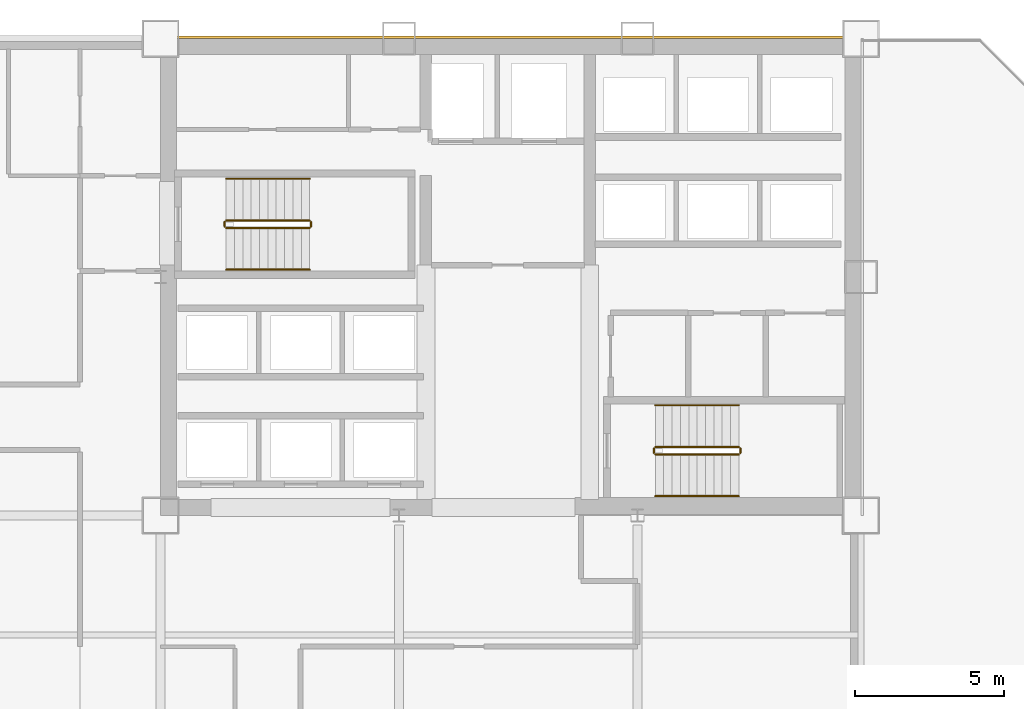
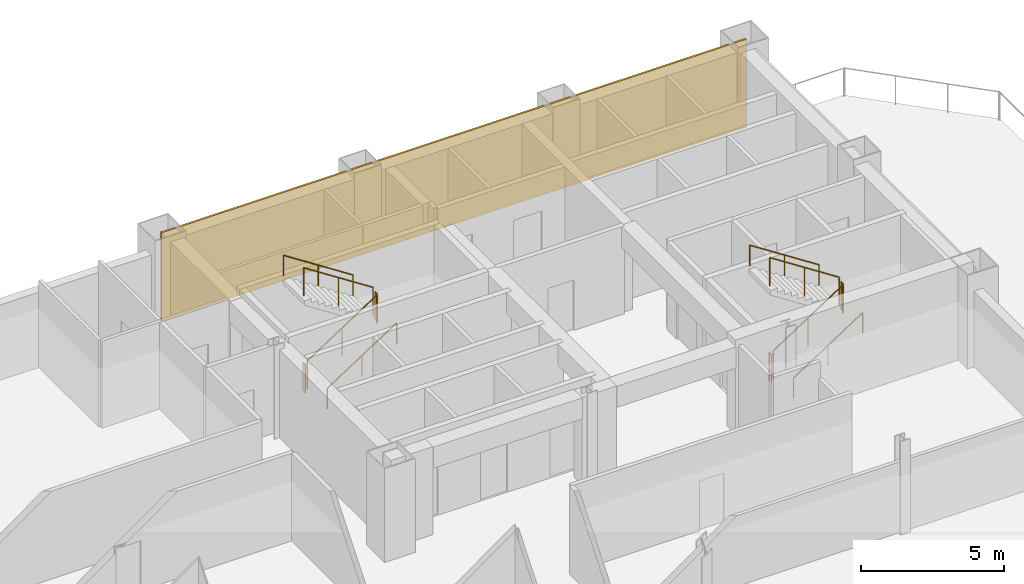
# One storey, part 10 of 11: 12 railings, 1 covering.
"""IFC4 building model written with IfcOpenShell, lengths in metres."""

import ifcopenshell
import ifcopenshell.guid

model = None  # the IFC model being written
_history = None  # IfcOwnerHistory: only IFC2X3 demands one
_inside = {}  # id of a spatial element -> (the spatial element, [elements in it])
_under = {}  # id of a project, library or spatial element -> (it, [spatial elements below it])
_declared = {}  # id of a project -> (the project, [libraries it declares])
_typed = {}  # id of a type object -> (the type object, [elements of that type])
_made_of = {}  # id of a material, layer set ... -> (it, [elements and type objects made of it])


def new_model(schema):
    """Start an empty IFC model of exactly this schema.

    Asked for "IFC4X3", IfcOpenShell would pick the latest addendum, in which some entities
    have other attributes; the version numbers below select the first issue.
    IFC2X3 requires an IfcOwnerHistory on every rooted entity: one is made here for all.
    """
    global model, _history
    if schema == "IFC4X3":
        model = ifcopenshell.file(schema_version=(4, 3, 0, 0))
    else:
        model = ifcopenshell.file(schema=schema)
    _inside.clear()
    _under.clear()
    _declared.clear()
    _typed.clear()
    _made_of.clear()
    _history = None
    if model.schema == "IFC2X3":
        org = make("IfcOrganization", Name="unknown")
        user = make(
            "IfcPersonAndOrganization",
            ThePerson=make("IfcPerson", FamilyName="unknown"),
            TheOrganization=org,
        )
        app = make(
            "IfcApplication",
            ApplicationDeveloper=org,
            Version="unknown",
            ApplicationFullName="unknown",
            ApplicationIdentifier="unknown",
        )
        _history = make(
            "IfcOwnerHistory",
            OwningUser=user,
            OwningApplication=app,
            ChangeAction="ADDED",
            CreationDate=0,
        )
    return model


def make(cls, **values):
    """One entity of the class cls with the attributes given. An attribute that is None is left unset."""
    return model.create_entity(
        cls, **{name: value for name, value in values.items() if value is not None}
    )


def rooted(cls, **values):
    """An entity with a GlobalId (a new one), such as an element, a storey or a relation."""
    return make(cls, GlobalId=ifcopenshell.guid.new(), OwnerHistory=_history, **values)


def si_unit(unit_type, name, prefix=None):
    """IfcSIUnit, for example si_unit("LENGTHUNIT", "METRE", prefix="MILLI")."""
    return make("IfcSIUnit", UnitType=unit_type, Prefix=prefix, Name=name)


def assignment(units):
    """IfcUnitAssignment: the units of a project."""
    return None if units is None else make("IfcUnitAssignment", Units=units)


def point(xyz):
    """IfcCartesianPoint."""
    return None if xyz is None else make("IfcCartesianPoint", Coordinates=xyz)


def direction(xyz):
    """IfcDirection."""
    return None if xyz is None else make("IfcDirection", DirectionRatios=xyz)


def frame(location, z_axis=None, x_axis=None):
    """IfcAxis2Placement3D, a coordinate frame: its origin and axes. An axis left out is left unset."""
    return make(
        "IfcAxis2Placement3D",
        Location=point(location),
        Axis=direction(z_axis),
        RefDirection=direction(x_axis),
    )


def frame_2d(location, x_axis=None):
    """IfcAxis2Placement2D, a coordinate frame in the plane: its origin and x axis."""
    return make(
        "IfcAxis2Placement2D", Location=point(location), RefDirection=direction(x_axis)
    )


def origin():
    """The frame at (0, 0, 0) with its axes left unset."""
    return frame((0.0, 0.0, 0.0))


def origin_2d():
    """The frame at (0, 0) in the plane with its x axis left unset."""
    return frame_2d((0.0, 0.0))


def place(relative_to, where):
    """IfcLocalPlacement: puts the frame where relative to a parent placement (None: the world)."""
    return make(
        "IfcLocalPlacement", PlacementRelTo=relative_to, RelativePlacement=where
    )


def context(
    kind, dimensions, precision=None, world=None, true_north=None, identifier=None
):
    """IfcGeometricRepresentationContext, for example the 3D "Model" context."""
    return make(
        "IfcGeometricRepresentationContext",
        ContextIdentifier=identifier,
        ContextType=kind,
        CoordinateSpaceDimension=dimensions,
        Precision=precision,
        WorldCoordinateSystem=world,
        TrueNorth=true_north,
    )


def subcontext(parent, identifier, kind, view, scale=None):
    """IfcGeometricRepresentationSubContext, for example "Body" below "Model"."""
    return make(
        "IfcGeometricRepresentationSubContext",
        ContextIdentifier=identifier,
        ContextType=kind,
        ParentContext=parent,
        TargetScale=scale,
        TargetView=view,
    )


def project(units=None, contexts=None):
    """IfcProject with its units and contexts."""
    return rooted(
        "IfcProject",
        Name="project",
        RepresentationContexts=contexts,
        UnitsInContext=assignment(units),
    )


def spatial(cls, under=None, at=None, **own):
    """A site, building, storey or space (cls), placed at a placement, below another one or the project."""
    s = rooted(cls, ObjectPlacement=at, **own)
    if under is not None:
        _under.setdefault(under.id(), (under, []))[1].append(s)
    return s


def profile(cls, at=None, kind="AREA", **sizes):
    """A parametric profile (cls). Its sizes go by their IFC names, for example OverallWidth=200.0."""
    return make(cls, ProfileType=kind, Position=at, **sizes)


def rectangle(**sizes):
    """IfcRectangleProfileDef."""
    return profile("IfcRectangleProfileDef", **sizes)


def circle(**sizes):
    """IfcCircleProfileDef."""
    return profile("IfcCircleProfileDef", **sizes)


def extrude(swept, where, along, depth):
    """IfcExtrudedAreaSolid: the profile swept, set in the frame where, extruded along a direction by depth."""
    return make(
        "IfcExtrudedAreaSolid",
        SweptArea=swept,
        Position=where,
        ExtrudedDirection=direction(along),
        Depth=depth,
    )


def shape(context_of_items, identifier, shape_type, items):
    """IfcShapeRepresentation: the items that make up one representation, for example the "Body"."""
    return make(
        "IfcShapeRepresentation",
        ContextOfItems=context_of_items,
        RepresentationIdentifier=identifier,
        RepresentationType=shape_type,
        Items=items,
    )


def material(Name=None, Category=None):
    """IfcMaterial."""
    return make("IfcMaterial", Name=Name, Category=Category)


def layer(
    of_material, thickness, ventilated=None, Name=None, Category=None, Priority=None
):
    """IfcMaterialLayer: one layer of a wall or slab, of a material (None: an air gap)."""
    return make(
        "IfcMaterialLayer",
        Material=of_material,
        LayerThickness=thickness,
        IsVentilated=ventilated,
        Name=Name,
        Category=Category,
        Priority=Priority,
    )


def layer_set(layers, Name=None):
    """IfcMaterialLayerSet."""
    return make("IfcMaterialLayerSet", MaterialLayers=layers, LayerSetName=Name)


def made_of(thing, what):
    """Note that an element or type object is made of a material, layer set ...; save() writes the relation."""
    if what is not None:
        _made_of.setdefault(what.id(), (what, []))[1].append(thing)
    return thing


def type_object(cls, material=None, **own):
    """A type object (cls), such as IfcWallType, which elements share."""
    return made_of(rooted(cls, **own), material)


def element(
    cls,
    number,
    at=None,
    inside=None,
    cuts=None,
    type_object=None,
    material=None,
    context=None,
    identifier="Body",
    shape_type=None,
    held_by="IfcProductDefinitionShape",
    body=None,
    shapes=None,
    **own,
):
    """One element of the class cls, such as IfcWall. Its Tag is "e" and its number.

    at: its placement. inside: the storey or other place that contains it. cuts: it is an
    opening in that element (IfcRelVoidsElement). A single representation is given by context,
    identifier, shape_type and body (its items); several are given by shapes. held_by: the class
    of the entity that holds the representations. save() writes the other relations.
    """
    e = rooted(cls, Tag="e%d" % number, ObjectPlacement=at, **own)
    if body is not None:
        shapes = [shape(context, identifier, shape_type, body)]
    if shapes is not None:
        e.Representation = make(held_by, Representations=shapes)
    if inside is not None:
        _inside.setdefault(inside.id(), (inside, []))[1].append(e)
    if cuts is not None:
        rooted(
            "IfcRelVoidsElement", RelatingBuildingElement=cuts, RelatedOpeningElement=e
        )
    if type_object is not None:
        _typed.setdefault(type_object.id(), (type_object, []))[1].append(e)
    return made_of(e, material)


def aggregate(whole, parts):
    """IfcRelAggregates: a whole, such as a stair, and the parts it consists of."""
    return rooted("IfcRelAggregates", RelatingObject=whole, RelatedObjects=parts)


def save(model, path):
    """Write the relations noted so far, then the file.

    IfcRelAggregates (storeys below a building ...), IfcRelContainedInSpatialStructure (elements
    in a storey), IfcRelDefinesByType, IfcRelAssociatesMaterial and IfcRelDeclares: one each for
    every whole, place, type object, material and project.
    """
    for whole, parts in _under.values():
        aggregate(whole, parts)
    for where, things in _inside.values():
        rooted(
            "IfcRelContainedInSpatialStructure",
            RelatedElements=things,
            RelatingStructure=where,
        )
    for kind, things in _typed.values():
        rooted("IfcRelDefinesByType", RelatedObjects=things, RelatingType=kind)
    for what, things in _made_of.values():
        rooted("IfcRelAssociatesMaterial", RelatedObjects=things, RelatingMaterial=what)
    for by, libraries in _declared.values():
        rooted("IfcRelDeclares", RelatingContext=by, RelatedDefinitions=libraries)
    model.write(path)


model = new_model("IFC4")

# Units and contexts
model_context = context("Model", 3, precision=1e-05, world=origin(), true_north=direction((0.0, 1.0)))
body_context = subcontext(model_context, "Body", "Model", "MODEL_VIEW")
ifc_project = project(units=[si_unit("LENGTHUNIT", "METRE"), si_unit("AREAUNIT", "SQUARE_METRE"), si_unit("VOLUMEUNIT", "CUBIC_METRE"), si_unit("PLANEANGLEUNIT", "RADIAN"), si_unit("MASSUNIT", "GRAM", prefix="KILO")], contexts=[model_context])

# Site, building, storey
site_placement = place(None, origin())
site = spatial("IfcSite", under=ifc_project, at=site_placement, CompositionType="ELEMENT")
building_placement = place(site_placement, origin())
building = spatial("IfcBuilding", under=site, at=building_placement, Name="Qianrong Seaharbour Tower", CompositionType="ELEMENT")
storey_placement = place(building_placement, frame((0.0, 0.0, 28.199951171875)))
storey = spatial("IfcBuildingStorey", under=building, at=storey_placement, Name="L06", CompositionType="ELEMENT", Elevation=28.199951171875)

# Covering
ifc_material_1 = material(Name="Unitised red brick cladding on Precast concrete C45/55", Category="masonry")
ifc_layer = layer(ifc_material_1, 0.080078125)
ifc_layer_set = layer_set([ifc_layer], Name="Unitised red brick cladding on Precast concrete C45/55")
covering_type = type_object("IfcCoveringType", Name="COV-CLAD-RED-BRICK-80", PredefinedType="CLADDING", material=ifc_layer_set)
covering_placement = place(storey_placement, frame((52.2900390625, 52.0400390625, 0.0), z_axis=(0.0, 0.0, 1.0), x_axis=(1.0, 0.0, 0.0)))
element("IfcCovering", 1, at=covering_placement, inside=storey, type_object=covering_type, Name="L06 North Core Brick Veneer Cladding", PredefinedType="CLADDING", context=body_context, shape_type="SweptSolid", body=[
    extrude(rectangle(XDim=23.580078125, YDim=0.080078125, at=origin_2d()), origin(), (0.0, 0.0, 1.0), 3.75),
])

# Railings
ifc_material_2 = material(Name="Galvanized painted steel SN400B stair guard", Category="steel")
railing_type_1 = type_object("IfcRailingType", Name="RAIL-STAIR-GUARD-1220", PredefinedType="GUARDRAIL", material=ifc_material_2)
railing_1_placement = place(storey_placement, frame((42.699951171875, 45.64990234375, 0.181884765625)))
element("IfcRailing", 2, at=railing_1_placement, inside=storey, type_object=railing_type_1, Name="L06 ST-1 stair guard 1", PredefinedType="GUARDRAIL", context=body_context, shape_type="SweptSolid", body=[
    extrude(circle(Radius=0.02392578125, at=origin_2d()), frame((0.0, 0.0, 1.19580078125), z_axis=(0.838705829183, 0.0, 0.544584733623), x_axis=(0.0, 1.0, 0.0)), (0.0, 0.0, 1.0), 3.338623046875),
    extrude(circle(Radius=0.02099609375, at=origin_2d()), origin(), (0.0, 0.0, 1.0), 1.171875),
    extrude(circle(Radius=0.02099609375, at=origin_2d()), frame((1.39990234375, 0.0, 0.9091796875)), (0.0, 0.0, 1.0), 1.171875),
    extrude(circle(Radius=0.02099609375, at=origin_2d()), frame((2.800048828125, 0.0, 1.818115234375)), (0.0, 0.0, 1.0), 1.171875),
])
railing_2_placement = place(storey_placement, frame((45.550048828125, 45.699951171875, 2.0)))
element("IfcRailing", 3, at=railing_2_placement, inside=storey, type_object=railing_type_1, Name="L06 ST-1 stair guard 2", PredefinedType="GUARDRAIL", context=body_context, shape_type="SweptSolid", body=[
    extrude(circle(Radius=0.02392578125, at=origin_2d()), frame((0.0, 0.0, 1.19580078125), z_axis=(0.0, 1.0, 0.0), x_axis=(-1.0, 0.0, 0.0)), (0.0, 0.0, 1.0), 0.150146484375),
    extrude(circle(Radius=0.02099609375, at=origin_2d()), origin(), (0.0, 0.0, 1.0), 1.171875),
    extrude(circle(Radius=0.02099609375, at=origin_2d()), frame((0.0, 0.150146484375, 0.0)), (0.0, 0.0, 1.0), 1.171875),
])
railing_3_placement = place(storey_placement, frame((45.5, 45.89990234375, 2.181884765625)))
element("IfcRailing", 4, at=railing_3_placement, inside=storey, type_object=railing_type_1, Name="L06 ST-1 stair guard 3", PredefinedType="GUARDRAIL", context=body_context, shape_type="SweptSolid", body=[
    extrude(circle(Radius=0.02392578125, at=origin_2d()), frame((0.0, 0.0, 1.19580078125), z_axis=(-0.838705829183, 0.0, 0.544584733623), x_axis=(0.0, -1.0, 0.0)), (0.0, 0.0, 1.0), 3.338623046875),
    extrude(circle(Radius=0.02099609375, at=origin_2d()), origin(), (0.0, 0.0, 1.0), 1.171875),
    extrude(circle(Radius=0.02099609375, at=origin_2d()), frame((-1.39990234375, 0.0, 0.9091796875)), (0.0, 0.0, 1.0), 1.171875),
    extrude(circle(Radius=0.02099609375, at=origin_2d()), frame((-2.800048828125, 0.0, 1.818115234375)), (0.0, 0.0, 1.0), 1.171875),
])
railing_4_placement = place(storey_placement, frame((42.64990234375, 45.699951171875, 0.0)))
element("IfcRailing", 5, at=railing_4_placement, inside=storey, type_object=railing_type_1, Name="L06 ST-1 stair guard 4", PredefinedType="GUARDRAIL", context=body_context, shape_type="SweptSolid", body=[
    extrude(circle(Radius=0.02392578125, at=origin_2d()), frame((0.0, 0.0, 1.19580078125), z_axis=(0.0, 1.0, 0.0), x_axis=(-1.0, 0.0, 0.0)), (0.0, 0.0, 1.0), 0.150146484375),
    extrude(circle(Radius=0.02099609375, at=origin_2d()), origin(), (0.0, 0.0, 1.0), 1.171875),
    extrude(circle(Radius=0.02099609375, at=origin_2d()), frame((0.0, 0.150146484375, 0.0)), (0.0, 0.0, 1.0), 1.171875),
])
railing_5_placement = place(storey_placement, frame((57.10009765625, 38.050048828125, 0.181884765625)))
element("IfcRailing", 6, at=railing_5_placement, inside=storey, type_object=railing_type_1, Name="L06 ST-2 stair guard 1", PredefinedType="GUARDRAIL", context=body_context, shape_type="SweptSolid", body=[
    extrude(circle(Radius=0.02392578125, at=origin_2d()), frame((0.0, 0.0, 1.19580078125), z_axis=(0.83868413941, 0.0, 0.544618136222), x_axis=(0.0, 1.0, 0.0)), (0.0, 0.0, 1.0), 3.33837890625),
    extrude(circle(Radius=0.02099609375, at=origin_2d()), origin(), (0.0, 0.0, 1.0), 1.171875),
    extrude(circle(Radius=0.02099609375, at=origin_2d()), frame((1.39990234375, 0.0, 0.9091796875)), (0.0, 0.0, 1.0), 1.171875),
    extrude(circle(Radius=0.02099609375, at=origin_2d()), frame((2.7998046875, 0.0, 1.818115234375)), (0.0, 0.0, 1.0), 1.171875),
])
railing_6_placement = place(storey_placement, frame((59.949951171875, 38.10009765625, 2.0)))
element("IfcRailing", 7, at=railing_6_placement, inside=storey, type_object=railing_type_1, Name="L06 ST-2 stair guard 2", PredefinedType="GUARDRAIL", context=body_context, shape_type="SweptSolid", body=[
    extrude(circle(Radius=0.02392578125, at=origin_2d()), frame((0.0, 0.0, 1.19580078125), z_axis=(0.0, 1.0, 0.0), x_axis=(-1.0, 0.0, 0.0)), (0.0, 0.0, 1.0), 0.14990234375),
    extrude(circle(Radius=0.02099609375, at=origin_2d()), origin(), (0.0, 0.0, 1.0), 1.171875),
    extrude(circle(Radius=0.02099609375, at=origin_2d()), frame((0.0, 0.14990234375, 0.0)), (0.0, 0.0, 1.0), 1.171875),
])
railing_7_placement = place(storey_placement, frame((59.89990234375, 38.300048828125, 2.181884765625)))
element("IfcRailing", 8, at=railing_7_placement, inside=storey, type_object=railing_type_1, Name="L06 ST-2 stair guard 3", PredefinedType="GUARDRAIL", context=body_context, shape_type="SweptSolid", body=[
    extrude(circle(Radius=0.02392578125, at=origin_2d()), frame((0.0, 0.0, 1.19580078125), z_axis=(-0.83868413941, 0.0, 0.544618136222), x_axis=(0.0, -1.0, 0.0)), (0.0, 0.0, 1.0), 3.33837890625),
    extrude(circle(Radius=0.02099609375, at=origin_2d()), origin(), (0.0, 0.0, 1.0), 1.171875),
    extrude(circle(Radius=0.02099609375, at=origin_2d()), frame((-1.39990234375, 0.0, 0.9091796875)), (0.0, 0.0, 1.0), 1.171875),
    extrude(circle(Radius=0.02099609375, at=origin_2d()), frame((-2.7998046875, 0.0, 1.818115234375)), (0.0, 0.0, 1.0), 1.171875),
])
railing_8_placement = place(storey_placement, frame((57.050048828125, 38.10009765625, 0.0)))
element("IfcRailing", 9, at=railing_8_placement, inside=storey, type_object=railing_type_1, Name="L06 ST-2 stair guard 4", PredefinedType="GUARDRAIL", context=body_context, shape_type="SweptSolid", body=[
    extrude(circle(Radius=0.02392578125, at=origin_2d()), frame((0.0, 0.0, 1.19580078125), z_axis=(0.0, 1.0, 0.0), x_axis=(-1.0, 0.0, 0.0)), (0.0, 0.0, 1.0), 0.14990234375),
    extrude(circle(Radius=0.02099609375, at=origin_2d()), origin(), (0.0, 0.0, 1.0), 1.171875),
    extrude(circle(Radius=0.02099609375, at=origin_2d()), frame((0.0, 0.14990234375, 0.0)), (0.0, 0.0, 1.0), 1.171875),
])
ifc_material_3 = material(Name="Stainless steel SUS316L continuous handrail", Category="steel")
railing_type_2 = type_object("IfcRailingType", Name="RAIL-STAIR-HANDRAIL-900", PredefinedType="HANDRAIL", material=ifc_material_3)
railing_9_placement = place(storey_placement, frame((42.699951171875, 44.25, 0.181884765625)))
element("IfcRailing", 10, at=railing_9_placement, inside=storey, type_object=railing_type_2, Name="L06 ST-1 stair handrail 1", PredefinedType="HANDRAIL", context=body_context, shape_type="SweptSolid", body=[
    extrude(circle(Radius=0.02392578125, at=origin_2d()), frame((0.0, 0.0, 0.8759765625), z_axis=(0.838705829183, 0.0, 0.544584733623), x_axis=(0.0, 1.0, 0.0)), (0.0, 0.0, 1.0), 3.338623046875),
    extrude(circle(Radius=0.02099609375, at=origin_2d()), origin(), (0.0, 0.0, 1.0), 0.851806640625),
    extrude(circle(Radius=0.02099609375, at=origin_2d()), frame((1.39990234375, 0.0, 0.9091796875)), (0.0, 0.0, 1.0), 0.851806640625),
    extrude(circle(Radius=0.02099609375, at=origin_2d()), frame((2.800048828125, 0.0, 1.818115234375)), (0.0, 0.0, 1.0), 0.851806640625),
])
railing_10_placement = place(storey_placement, frame((45.5, 47.300048828125, 2.181884765625)))
element("IfcRailing", 11, at=railing_10_placement, inside=storey, type_object=railing_type_2, Name="L06 ST-1 stair handrail 2", PredefinedType="HANDRAIL", context=body_context, shape_type="SweptSolid", body=[
    extrude(circle(Radius=0.02392578125, at=origin_2d()), frame((0.0, 0.0, 0.8759765625), z_axis=(-0.838705829183, 0.0, 0.544584733623), x_axis=(0.0, -1.0, 0.0)), (0.0, 0.0, 1.0), 3.338623046875),
    extrude(circle(Radius=0.02099609375, at=origin_2d()), origin(), (0.0, 0.0, 1.0), 0.851806640625),
    extrude(circle(Radius=0.02099609375, at=origin_2d()), frame((-1.39990234375, 0.0, 0.9091796875)), (0.0, 0.0, 1.0), 0.851806640625),
    extrude(circle(Radius=0.02099609375, at=origin_2d()), frame((-2.800048828125, 0.0, 1.818115234375)), (0.0, 0.0, 1.0), 0.851806640625),
])
railing_11_placement = place(storey_placement, frame((57.10009765625, 36.64990234375, 0.181884765625)))
element("IfcRailing", 12, at=railing_11_placement, inside=storey, type_object=railing_type_2, Name="L06 ST-2 stair handrail 1", PredefinedType="HANDRAIL", context=body_context, shape_type="SweptSolid", body=[
    extrude(circle(Radius=0.02392578125, at=origin_2d()), frame((0.0, 0.0, 0.8759765625), z_axis=(0.83868413941, 0.0, 0.544618136222), x_axis=(0.0, 1.0, 0.0)), (0.0, 0.0, 1.0), 3.33837890625),
    extrude(circle(Radius=0.02099609375, at=origin_2d()), origin(), (0.0, 0.0, 1.0), 0.851806640625),
    extrude(circle(Radius=0.02099609375, at=origin_2d()), frame((1.39990234375, 0.0, 0.9091796875)), (0.0, 0.0, 1.0), 0.851806640625),
    extrude(circle(Radius=0.02099609375, at=origin_2d()), frame((2.7998046875, 0.0, 1.818115234375)), (0.0, 0.0, 1.0), 0.851806640625),
])
railing_12_placement = place(storey_placement, frame((59.89990234375, 39.699951171875, 2.181884765625)))
element("IfcRailing", 13, at=railing_12_placement, inside=storey, type_object=railing_type_2, Name="L06 ST-2 stair handrail 2", PredefinedType="HANDRAIL", context=body_context, shape_type="SweptSolid", body=[
    extrude(circle(Radius=0.02392578125, at=origin_2d()), frame((0.0, 0.0, 0.8759765625), z_axis=(-0.83868413941, 0.0, 0.544618136222), x_axis=(0.0, -1.0, 0.0)), (0.0, 0.0, 1.0), 3.33837890625),
    extrude(circle(Radius=0.02099609375, at=origin_2d()), origin(), (0.0, 0.0, 1.0), 0.851806640625),
    extrude(circle(Radius=0.02099609375, at=origin_2d()), frame((-1.39990234375, 0.0, 0.9091796875)), (0.0, 0.0, 1.0), 0.851806640625),
    extrude(circle(Radius=0.02099609375, at=origin_2d()), frame((-2.7998046875, 0.0, 1.818115234375)), (0.0, 0.0, 1.0), 0.851806640625),
])

save(model, "model.ifc")
